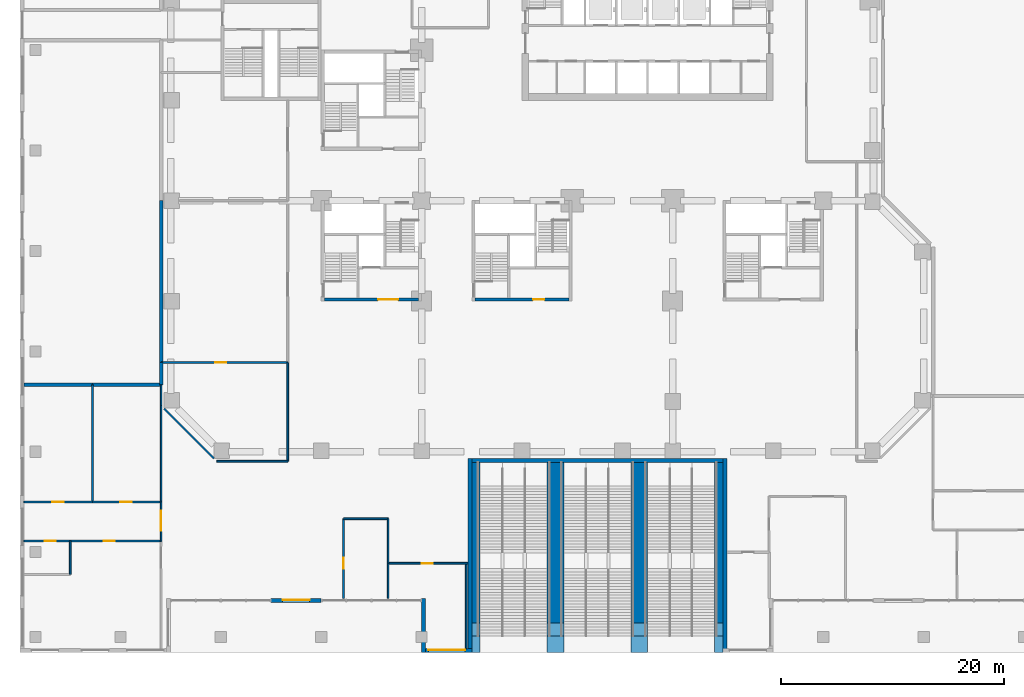
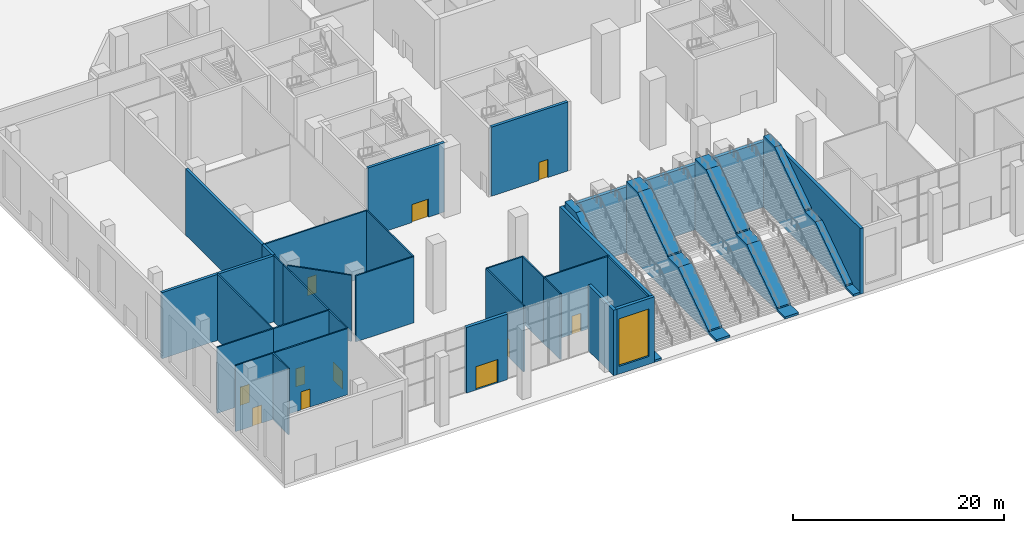
# One storey, part 8 of 32: 35 walls, 11 doors, 1 window, 12 openings.
"""IFC4 building model written with IfcOpenShell, lengths in metres."""

from ifc_helpers import new_model, si_unit, direction, frame, frame_2d, origin, place, context, subcontext, project, spatial, polyline, rectangle, outline, extrude, material, layer, layer_set, constituent, constituent_set, type_object, element, fill, save


model = new_model("IFC4")

# Units and contexts
model_context = context("Model", 3, precision=1e-05, world=origin(), true_north=direction((0.0, 1.0)))
body_context = subcontext(model_context, "Body", "Model", "MODEL_VIEW")
ifc_project = project(units=[si_unit("LENGTHUNIT", "METRE"), si_unit("AREAUNIT", "SQUARE_METRE"), si_unit("VOLUMEUNIT", "CUBIC_METRE"), si_unit("PLANEANGLEUNIT", "RADIAN"), si_unit("MASSUNIT", "GRAM", prefix="KILO")], contexts=[model_context])

# Site, building, storey
site_placement = place(None, origin())
site = spatial("IfcSite", under=ifc_project, at=site_placement, CompositionType="ELEMENT")
building_placement = place(site_placement, origin())
building = spatial("IfcBuilding", under=site, at=building_placement, Name="Quoin Convention Tower", CompositionType="ELEMENT")
storey_placement = place(building_placement, origin())
storey = spatial("IfcBuildingStorey", under=building, at=storey_placement, Name="L00", CompositionType="ELEMENT", Elevation=0.0)

# Walls
ifc_material_1 = material(Name="Plasterboard")
ifc_layer_1 = layer(ifc_material_1, 0.012451171875, Name="Finish")
ifc_material_2 = material(Name="Steel stud framing", Category="steel")
ifc_layer_2 = layer(ifc_material_2, 0.27490234375, Name="Structure")
ifc_layer_3 = layer(ifc_material_1, 0.012451171875, Name="Finish")
ifc_layer_set_1 = layer_set([ifc_layer_1, ifc_layer_2, ifc_layer_3], Name="Steel stud framing")
wall_type_1 = type_object("IfcWallType", Name="Acoustic wall 300", PredefinedType="PARTITIONING", material=ifc_layer_set_1)
for number, where, z_axis, x_axis, name in (
    (1, (0.35009765625, 24.0, 0.0), (0.0, 0.0, 1.0), (1.0, 0.0, 0.0), "pw-L00-045"),
    (2, (6.5, 24.0, 0.0), (0.0, 0.0, 1.0), (1.0, 0.0, 0.0), "pw-L00-046"),
):
    element("IfcWall", number, at=place(storey_placement, frame(where, z_axis=z_axis, x_axis=x_axis)), inside=storey, type_object=wall_type_1, Name=name, PredefinedType="PARTITIONING", context=body_context, shape_type="SweptSolid", body=[
        extrude(rectangle(XDim=6.14990234375, YDim=0.300048828125, at=frame_2d((3.074951171875, 0.0))), origin(), (0.0, 0.0, 1.0), 7.64990234375),
    ])
wall_1_placement = place(storey_placement, frame((12.64990234375, 24.0, 0.0), z_axis=(0.0, 0.0, 1.0), x_axis=(0.0, 1.0, 0.0)))
element("IfcWall", 3, at=wall_1_placement, inside=storey, type_object=wall_type_1, Name="pw-L00-047", PredefinedType="PARTITIONING", context=body_context, shape_type="SweptSolid", body=[
    extrude(rectangle(XDim=2.0, YDim=0.300048828125, at=frame_2d((1.0, 0.0))), origin(), (0.0, 0.0, 1.0), 7.64990234375),
])
wall_2_placement = place(storey_placement, frame((12.64990234375, 26.0, 0.0), z_axis=(0.0, 0.0, 1.0), x_axis=(0.0, 1.0, 0.0)))
element("IfcWall", 4, at=wall_2_placement, inside=storey, type_object=wall_type_1, Name="pw-L00-049", PredefinedType="PARTITIONING", context=body_context, shape_type="SweptSolid", body=[
    extrude(rectangle(XDim=14.5, YDim=0.300048828125, at=frame_2d((7.25, 0.0))), origin(), (0.0, 0.0, 1.0), 7.64990234375),
])

# Wall, opening, door
ifc_material_3 = material(Name="Brick masonry", Category="masonry")
ifc_layer_4 = layer(ifc_material_3, 0.35009765625)
ifc_layer_set_2 = layer_set([ifc_layer_4], Name="Brick masonry")
wall_type_2 = type_object("IfcWallType", Name="Brick facade wall", PredefinedType="STANDARD", material=ifc_layer_set_2)
wall_3_placement = place(storey_placement, frame((22.5, 4.675048828125, 0.0), z_axis=(0.0, 0.0, 1.0), x_axis=(1.0, 0.0, 0.0)))
wall_3 = element("IfcWall", 5, at=wall_3_placement, inside=storey, type_object=wall_type_2, Name="fw-L00-22500_4675", PredefinedType="STANDARD", context=body_context, shape_type="SweptSolid", body=[
    extrude(rectangle(XDim=4.5, YDim=0.35009765625, at=frame_2d((2.25, 0.0))), origin(), (0.0, 0.0, 1.0), 7.590087890625),
])
opening_1_placement = place(wall_3_placement, frame((1.050048828125, 0.0, 0.0)))
opening_1 = element("IfcOpeningElement", 6, at=opening_1_placement, cuts=wall_3, Name="Opening D-T2", PredefinedType="OPENING", context=body_context, shape_type="SweptSolid", body=[
    extrude(rectangle(XDim=2.39990234375, YDim=2.699951171875, at=frame_2d((1.199951171875, 1.35009765625))), frame((0.0, 0.18505859375, 0.0), z_axis=(0.0, -1.0, 0.0), x_axis=(1.0, 0.0, 0.0)), (0.0, 0.0, 1.0), 0.3701171875),
])
ifc_material_4 = material(Name="Aluminium", Category="aluminium")
ifc_constituent_1 = constituent(ifc_material_4, Name="Frame")
ifc_material_5 = material(Name="Insulated glass", Category="glass")
ifc_constituent_2 = constituent(ifc_material_5, Name="Glazing")
ifc_constituent_set_1 = constituent_set(constituents=[ifc_constituent_1, ifc_constituent_2], Name="Aluminium")
door_type_1 = type_object("IfcDoorType", Name="Entrance door", OperationType="DOUBLE_DOOR_SINGLE_SWING", PredefinedType="DOOR", material=ifc_constituent_set_1)
door_1_placement = place(opening_1_placement, frame((2.39990234375, 0.0, 0.0), z_axis=(0.0, 0.0, 1.0), x_axis=(-1.0, 0.0, 0.0)))
door_1 = element("IfcDoor", 7, at=door_1_placement, inside=storey, type_object=door_type_1, Name="dr-L00-22500_4675", OperationType="DOUBLE_DOOR_SINGLE_SWING", OverallHeight=2.699951171875, OverallWidth=2.39990234375, PredefinedType="DOOR", context=body_context, shape_type="SweptSolid", body=[
    extrude(rectangle(XDim=2.39990234375, YDim=2.699951171875, at=frame_2d((1.199951171875, 1.35009765625))), frame((0.0, -0.02978515625, 0.0), z_axis=(0.0, -1.0, 0.0), x_axis=(1.0, 0.0, 0.0)), (0.0, 0.0, 1.0), 0.050048828125),
])
fill(opening_1, door_1)

# Wall
wall_4_placement = place(storey_placement, frame((36.175048828125, 4.85009765625, 0.0), z_axis=(0.0, 0.0, 1.0), x_axis=(0.0, -1.0, 0.0)))
element("IfcWall", 8, at=wall_4_placement, inside=storey, type_object=wall_type_2, Name="fw-L00-36000_4500", PredefinedType="STANDARD", context=body_context, shape_type="SweptSolid", body=[
    extrude(rectangle(XDim=4.85009765625, YDim=0.35009765625, at=frame_2d((2.425048828125, 0.0))), origin(), (0.0, 0.0, 1.0), 7.590087890625),
])

# Wall, opening, window
wall_5_placement = place(storey_placement, frame((36.0, 0.175048828125, 0.0), z_axis=(0.0, 0.0, 1.0), x_axis=(1.0, 0.0, 0.0)))
wall_5 = element("IfcWall", 9, at=wall_5_placement, inside=storey, type_object=wall_type_2, Name="fw-L00-36000_0", PredefinedType="STANDARD", context=body_context, shape_type="SweptSolid", body=[
    extrude(rectangle(XDim=4.5, YDim=0.35009765625, at=frame_2d((2.25, 0.0))), origin(), (0.0, 0.0, 1.0), 7.590087890625),
])
opening_2_placement = place(wall_5_placement, frame((0.60009765625, 0.0, 0.89990234375)))
opening_2 = element("IfcOpeningElement", 10, at=opening_2_placement, cuts=wall_5, Name="Opening W-06", PredefinedType="OPENING", context=body_context, shape_type="SweptSolid", body=[
    extrude(rectangle(XDim=3.300048828125, YDim=5.5, at=frame_2d((1.64990234375, 2.75))), frame((0.0, 0.18505859375, 0.0), z_axis=(0.0, -1.0, 0.0), x_axis=(1.0, 0.0, 0.0)), (0.0, 0.0, 1.0), 0.3701171875),
])
ifc_constituent_3 = constituent(ifc_material_4, Name="Frame")
ifc_constituent_4 = constituent(ifc_material_5, Name="Glazing")
ifc_constituent_set_2 = constituent_set(constituents=[ifc_constituent_3, ifc_constituent_4], Name="Aluminium")
window_type = type_object("IfcWindowType", Name="Podium street window", PartitioningType="TRIPLE_PANEL_VERTICAL", PredefinedType="WINDOW", material=ifc_constituent_set_2)
window_placement = place(opening_2_placement, origin())
window = element("IfcWindow", 11, at=window_placement, inside=storey, type_object=window_type, Name="win-L00-38250_175", OverallHeight=5.5, OverallWidth=3.300048828125, PartitioningType="SINGLE_PANEL", PredefinedType="WINDOW", context=body_context, shape_type="SweptSolid", body=[
    extrude(rectangle(XDim=3.300048828125, YDim=5.5, at=frame_2d((1.64990234375, 2.75))), frame((0.0, 0.0849609375, 0.0), z_axis=(0.0, -1.0, 0.0), x_axis=(1.0, 0.0, 0.0)), (0.0, 0.0, 1.0), 0.06005859375),
])
fill(opening_2, window)

# Walls
wall_6_placement = place(storey_placement, frame((40.324951171875, 0.0, 0.0), z_axis=(0.0, 0.0, 1.0), x_axis=(0.0, 1.0, 0.0)))
element("IfcWall", 12, at=wall_6_placement, inside=storey, type_object=wall_type_2, Name="fw-L00-40500_0", PredefinedType="STANDARD", context=body_context, shape_type="SweptSolid", body=[
    extrude(rectangle(XDim=17.39990234375, YDim=0.35009765625, at=frame_2d((8.699951171875, 0.0))), origin(), (0.0, 0.0, 1.0), 7.590087890625),
])
wall_7_placement = place(storey_placement, frame((40.14990234375, 17.22509765625, 0.0), z_axis=(0.0, 0.0, 1.0), x_axis=(1.0, 0.0, 0.0)))
element("IfcWall", 13, at=wall_7_placement, inside=storey, type_object=wall_type_2, Name="fw-L00-40500_17050", PredefinedType="STANDARD", context=body_context, shape_type="SweptSolid", body=[
    extrude(rectangle(XDim=23.2001953125, YDim=0.35009765625, at=frame_2d((11.60009765625, 0.0))), origin(), (0.0, 0.0, 1.0), 7.590087890625),
])
wall_8_placement = place(storey_placement, frame((63.175048828125, 17.39990234375, 0.0), z_axis=(0.0, 0.0, 1.0), x_axis=(0.0, -1.0, 0.0)))
element("IfcWall", 14, at=wall_8_placement, inside=storey, type_object=wall_type_2, Name="fw-L00-63000_17050", PredefinedType="STANDARD", context=body_context, shape_type="SweptSolid", body=[
    extrude(rectangle(XDim=17.39990234375, YDim=0.35009765625, at=frame_2d((8.699951171875, 0.0))), origin(), (0.0, 0.0, 1.0), 7.590087890625),
])
ifc_layer_5 = layer(ifc_material_1, 0.012451171875, Name="Finish")
ifc_layer_6 = layer(ifc_material_2, 0.125, Name="Structure")
ifc_layer_7 = layer(ifc_material_1, 0.012451171875, Name="Finish")
ifc_layer_set_3 = layer_set([ifc_layer_5, ifc_layer_6, ifc_layer_7], Name="Steel stud framing")
wall_type_3 = type_object("IfcWallType", Name="Partition wall 150", PredefinedType="PARTITIONING", material=ifc_layer_set_3)
wall_9_placement = place(storey_placement, frame((40.0, 0.35009765625, 0.0), z_axis=(0.0, 0.0, 1.0), x_axis=(0.0, 1.0, 0.0)))
element("IfcWall", 15, at=wall_9_placement, inside=storey, type_object=wall_type_3, Name="pw-L00-002", PredefinedType="PARTITIONING", context=body_context, shape_type="SweptSolid", body=[
    extrude(rectangle(XDim=7.64990234375, YDim=0.14990234375, at=frame_2d((3.824951171875, 0.0))), origin(), (0.0, 0.0, 1.0), 7.64990234375),
])

# Wall, opening, door
wall_10_placement = place(storey_placement, frame((29.0, 4.85009765625, 0.0), z_axis=(0.0, 0.0, 1.0), x_axis=(0.0, 1.0, 0.0)))
wall_10 = element("IfcWall", 16, at=wall_10_placement, inside=storey, type_object=wall_type_3, Name="pw-L00-003", PredefinedType="PARTITIONING", context=body_context, shape_type="SweptSolid", body=[
    extrude(rectangle(XDim=7.14990234375, YDim=0.14990234375, at=frame_2d((3.574951171875, 0.0))), origin(), (0.0, 0.0, 1.0), 7.64990234375),
])
opening_3_placement = place(wall_10_placement, frame((2.64990234375, 0.0, 0.0)))
opening_3 = element("IfcOpeningElement", 17, at=opening_3_placement, cuts=wall_10, Name="Opening DPD0-02", PredefinedType="OPENING", context=body_context, shape_type="SweptSolid", body=[
    extrude(rectangle(XDim=1.0, YDim=2.10009765625, at=frame_2d((0.5, 1.050048828125))), frame((0.0, 0.0849609375, 0.0), z_axis=(0.0, -1.0, 0.0), x_axis=(1.0, 0.0, 0.0)), (0.0, 0.0, 1.0), 0.169921875),
])
ifc_material_6 = material(Name="Steel door leaf", Category="steel")
door_type_2 = type_object("IfcDoorType", Name="Single leaf door 1000", OperationType="SINGLE_SWING_LEFT", PredefinedType="DOOR", material=ifc_material_6)
door_2_placement = place(opening_3_placement, frame((1.0, 0.0, 0.0), z_axis=(0.0, 0.0, 1.0), x_axis=(-1.0, 0.0, 0.0)))
door_2 = element("IfcDoor", 18, at=door_2_placement, inside=storey, type_object=door_type_2, Name="dr-L00-035", OperationType="SINGLE_SWING_RIGHT", OverallHeight=2.10009765625, OverallWidth=1.0, PredefinedType="DOOR", context=body_context, shape_type="SweptSolid", body=[
    extrude(rectangle(XDim=1.0, YDim=2.10009765625, at=frame_2d((0.5, 1.050048828125))), frame((0.0, 0.02490234375, 0.0), z_axis=(0.0, -1.0, 0.0), x_axis=(1.0, 0.0, 0.0)), (0.0, 0.0, 1.0), 0.050048828125),
])
fill(opening_3, door_2)

# Wall
wall_11_placement = place(storey_placement, frame((33.0, 4.85009765625, 0.0), z_axis=(0.0, 0.0, 1.0), x_axis=(0.0, 1.0, 0.0)))
element("IfcWall", 19, at=wall_11_placement, inside=storey, type_object=wall_type_3, Name="pw-L00-004", PredefinedType="PARTITIONING", context=body_context, shape_type="SweptSolid", body=[
    extrude(rectangle(XDim=3.14990234375, YDim=0.14990234375, at=frame_2d((1.574951171875, 0.0))), origin(), (0.0, 0.0, 1.0), 7.64990234375),
])

# Wall, opening, door
wall_12_placement = place(storey_placement, frame((33.0, 8.0, 0.0), z_axis=(0.0, 0.0, 1.0), x_axis=(1.0, 0.0, 0.0)))
wall_12 = element("IfcWall", 20, at=wall_12_placement, inside=storey, type_object=wall_type_3, Name="pw-L00-010", PredefinedType="PARTITIONING", context=body_context, shape_type="SweptSolid", body=[
    extrude(rectangle(XDim=7.14990234375, YDim=0.14990234375, at=frame_2d((3.574951171875, 0.0))), origin(), (0.0, 0.0, 1.0), 7.64990234375),
])
opening_4_placement = place(wall_12_placement, frame((3.0, 0.0, 0.0)))
opening_4 = element("IfcOpeningElement", 21, at=opening_4_placement, cuts=wall_12, Name="Opening DPD0-04", PredefinedType="OPENING", context=body_context, shape_type="SweptSolid", body=[
    extrude(rectangle(XDim=1.0, YDim=2.10009765625, at=frame_2d((0.5, 1.050048828125))), frame((0.0, 0.0849609375, 0.0), z_axis=(0.0, -1.0, 0.0), x_axis=(1.0, 0.0, 0.0)), (0.0, 0.0, 1.0), 0.169921875),
])
door_3_placement = place(opening_4_placement, frame((1.0, 0.0, 0.0), z_axis=(0.0, 0.0, 1.0), x_axis=(-1.0, 0.0, 0.0)))
door_3 = element("IfcDoor", 22, at=door_3_placement, inside=storey, type_object=door_type_2, Name="dr-L00-037", OperationType="SINGLE_SWING_LEFT", OverallHeight=2.10009765625, OverallWidth=1.0, PredefinedType="DOOR", context=body_context, shape_type="SweptSolid", body=[
    extrude(rectangle(XDim=1.0, YDim=2.10009765625, at=frame_2d((0.5, 1.050048828125))), frame((0.0, 0.02490234375, 0.0), z_axis=(0.0, -1.0, 0.0), x_axis=(1.0, 0.0, 0.0)), (0.0, 0.0, 1.0), 0.050048828125),
])
fill(opening_4, door_3)

# Wall
wall_13_placement = place(storey_placement, frame((33.0, 8.0, 0.0), z_axis=(0.0, 0.0, 1.0), x_axis=(0.0, 1.0, 0.0)))
element("IfcWall", 23, at=wall_13_placement, inside=storey, type_object=wall_type_3, Name="pw-L00-011", PredefinedType="PARTITIONING", context=body_context, shape_type="SweptSolid", body=[
    extrude(rectangle(XDim=4.0, YDim=0.14990234375, at=frame_2d((2.0, 0.0))), origin(), (0.0, 0.0, 1.0), 7.64990234375),
])

# Wall, opening, door
wall_14_placement = place(storey_placement, frame((4.5, 10.0, 0.0), z_axis=(0.0, 0.0, 1.0), x_axis=(1.0, 0.0, 0.0)))
wall_14 = element("IfcWall", 24, at=wall_14_placement, inside=storey, type_object=wall_type_3, Name="pw-L00-015", PredefinedType="PARTITIONING", context=body_context, shape_type="SweptSolid", body=[
    extrude(rectangle(XDim=8.14990234375, YDim=0.14990234375, at=frame_2d((4.074951171875, 0.0))), origin(), (0.0, 0.0, 1.0), 7.64990234375),
])
opening_5_placement = place(wall_14_placement, frame((3.0, 0.0, 0.0)))
opening_5 = element("IfcOpeningElement", 25, at=opening_5_placement, cuts=wall_14, Name="Opening DPD0-08", PredefinedType="OPENING", context=body_context, shape_type="SweptSolid", body=[
    extrude(rectangle(XDim=1.0, YDim=2.10009765625, at=frame_2d((0.5, 1.050048828125))), frame((0.0, 0.0849609375, 0.0), z_axis=(0.0, -1.0, 0.0), x_axis=(1.0, 0.0, 0.0)), (0.0, 0.0, 1.0), 0.169921875),
])
door_4_placement = place(opening_5_placement, frame((1.0, 0.0, 0.0), z_axis=(0.0, 0.0, 1.0), x_axis=(-1.0, 0.0, 0.0)))
door_4 = element("IfcDoor", 26, at=door_4_placement, inside=storey, type_object=door_type_2, Name="dr-L00-026", OperationType="SINGLE_SWING_RIGHT", OverallHeight=2.10009765625, OverallWidth=1.0, PredefinedType="DOOR", context=body_context, shape_type="SweptSolid", body=[
    extrude(rectangle(XDim=1.0, YDim=2.10009765625, at=frame_2d((0.5, 1.050048828125))), frame((0.0, 0.02490234375, 0.0), z_axis=(0.0, -1.0, 0.0), x_axis=(1.0, 0.0, 0.0)), (0.0, 0.0, 1.0), 0.050048828125),
])
fill(opening_5, door_4)

wall_15_placement = place(storey_placement, frame((12.64990234375, 10.0, 0.0), z_axis=(0.0, 0.0, 1.0), x_axis=(0.0, 1.0, 0.0)))
wall_15 = element("IfcWall", 27, at=wall_15_placement, inside=storey, type_object=wall_type_3, Name="pw-L00-016", PredefinedType="PARTITIONING", context=body_context, shape_type="SweptSolid", body=[
    extrude(rectangle(XDim=3.5, YDim=0.14990234375, at=frame_2d((1.75, 0.0))), origin(), (0.0, 0.0, 1.0), 7.64990234375),
])
opening_6_placement = place(wall_15_placement, frame((0.89990234375, 0.0, 0.0)))
opening_6 = element("IfcOpeningElement", 28, at=opening_6_placement, cuts=wall_15, Name="Opening DPD0-09", PredefinedType="OPENING", context=body_context, shape_type="SweptSolid", body=[
    extrude(rectangle(XDim=1.800048828125, YDim=2.10009765625, at=frame_2d((0.89990234375, 1.050048828125))), frame((0.0, 0.0849609375, 0.0), z_axis=(0.0, -1.0, 0.0), x_axis=(1.0, 0.0, 0.0)), (0.0, 0.0, 1.0), 0.169921875),
])
door_type_3 = type_object("IfcDoorType", Name="Double leaf door 1800", OperationType="DOUBLE_DOOR_SINGLE_SWING", PredefinedType="DOOR", material=ifc_material_6)
door_5_placement = place(opening_6_placement, origin())
door_5 = element("IfcDoor", 29, at=door_5_placement, inside=storey, type_object=door_type_3, Name="dr-L00-025", OperationType="DOUBLE_DOOR_SINGLE_SWING", OverallHeight=2.10009765625, OverallWidth=1.800048828125, PredefinedType="DOOR", context=body_context, shape_type="SweptSolid", body=[
    extrude(rectangle(XDim=1.800048828125, YDim=2.10009765625, at=frame_2d((0.89990234375, 1.050048828125))), frame((0.0, 0.02490234375, 0.0), z_axis=(0.0, -1.0, 0.0), x_axis=(1.0, 0.0, 0.0)), (0.0, 0.0, 1.0), 0.050048828125),
])
fill(opening_6, door_5)

# Wall
wall_16_placement = place(storey_placement, frame((29.0, 12.0, 0.0), z_axis=(0.0, 0.0, 1.0), x_axis=(1.0, 0.0, 0.0)))
element("IfcWall", 30, at=wall_16_placement, inside=storey, type_object=wall_type_3, Name="pw-L00-020", PredefinedType="PARTITIONING", context=body_context, shape_type="SweptSolid", body=[
    extrude(rectangle(XDim=4.0, YDim=0.14990234375, at=frame_2d((2.0, 0.0))), origin(), (0.0, 0.0, 1.0), 7.64990234375),
])

# Wall, opening, door
wall_17_placement = place(storey_placement, frame((0.35009765625, 13.5, 0.0), z_axis=(0.0, 0.0, 1.0), x_axis=(1.0, 0.0, 0.0)))
wall_17 = element("IfcWall", 31, at=wall_17_placement, inside=storey, type_object=wall_type_3, Name="pw-L00-021", PredefinedType="PARTITIONING", context=body_context, shape_type="SweptSolid", body=[
    extrude(rectangle(XDim=6.14990234375, YDim=0.14990234375, at=frame_2d((3.074951171875, 0.0))), origin(), (0.0, 0.0, 1.0), 7.64990234375),
])
opening_7_placement = place(wall_17_placement, frame((2.550048828125, 0.0, 0.0)))
opening_7 = element("IfcOpeningElement", 32, at=opening_7_placement, cuts=wall_17, Name="Opening DPD0-12", PredefinedType="OPENING", context=body_context, shape_type="SweptSolid", body=[
    extrude(rectangle(XDim=1.0, YDim=2.10009765625, at=frame_2d((0.5, 1.050048828125))), frame((0.0, 0.0849609375, 0.0), z_axis=(0.0, -1.0, 0.0), x_axis=(1.0, 0.0, 0.0)), (0.0, 0.0, 1.0), 0.169921875),
])
door_type_4 = type_object("IfcDoorType", Name="Washroom door 1000", OperationType="SINGLE_SWING_RIGHT", PredefinedType="DOOR", material=ifc_material_6)
door_6_placement = place(opening_7_placement, origin())
door_6 = element("IfcDoor", 33, at=door_6_placement, inside=storey, type_object=door_type_4, Name="dr-L00-027", OperationType="SINGLE_SWING_RIGHT", OverallHeight=2.10009765625, OverallWidth=1.0, PredefinedType="DOOR", context=body_context, shape_type="SweptSolid", body=[
    extrude(rectangle(XDim=1.0, YDim=2.10009765625, at=frame_2d((0.5, 1.050048828125))), frame((0.0, 0.02490234375, 0.0), z_axis=(0.0, -1.0, 0.0), x_axis=(1.0, 0.0, 0.0)), (0.0, 0.0, 1.0), 0.050048828125),
])
fill(opening_7, door_6)

wall_18_placement = place(storey_placement, frame((6.5, 13.5, 0.0), z_axis=(0.0, 0.0, 1.0), x_axis=(1.0, 0.0, 0.0)))
wall_18 = element("IfcWall", 34, at=wall_18_placement, inside=storey, type_object=wall_type_3, Name="pw-L00-022", PredefinedType="PARTITIONING", context=body_context, shape_type="SweptSolid", body=[
    extrude(rectangle(XDim=6.14990234375, YDim=0.14990234375, at=frame_2d((3.074951171875, 0.0))), origin(), (0.0, 0.0, 1.0), 7.64990234375),
])
opening_8_placement = place(wall_18_placement, frame((2.5, 0.0, 0.0)))
opening_8 = element("IfcOpeningElement", 35, at=opening_8_placement, cuts=wall_18, Name="Opening DPD0-13", PredefinedType="OPENING", context=body_context, shape_type="SweptSolid", body=[
    extrude(rectangle(XDim=1.0, YDim=2.10009765625, at=frame_2d((0.5, 1.050048828125))), frame((0.0, 0.0849609375, 0.0), z_axis=(0.0, -1.0, 0.0), x_axis=(1.0, 0.0, 0.0)), (0.0, 0.0, 1.0), 0.169921875),
])
door_7_placement = place(opening_8_placement, origin())
door_7 = element("IfcDoor", 36, at=door_7_placement, inside=storey, type_object=door_type_4, Name="dr-L00-028", OperationType="SINGLE_SWING_LEFT", OverallHeight=2.10009765625, OverallWidth=1.0, PredefinedType="DOOR", context=body_context, shape_type="SweptSolid", body=[
    extrude(rectangle(XDim=1.0, YDim=2.10009765625, at=frame_2d((0.5, 1.050048828125))), frame((0.0, 0.02490234375, 0.0), z_axis=(0.0, -1.0, 0.0), x_axis=(1.0, 0.0, 0.0)), (0.0, 0.0, 1.0), 0.050048828125),
])
fill(opening_8, door_7)

# Walls
wall_19_placement = place(storey_placement, frame((12.64990234375, 13.5, 0.0), z_axis=(0.0, 0.0, 1.0), x_axis=(0.0, 1.0, 0.0)))
element("IfcWall", 37, at=wall_19_placement, inside=storey, type_object=wall_type_3, Name="pw-L00-024", PredefinedType="PARTITIONING", context=body_context, shape_type="SweptSolid", body=[
    extrude(rectangle(XDim=8.64794921875, YDim=0.14990234375, at=frame_2d((4.323974609375, 0.0))), origin(), (0.0, 0.0, 1.0), 7.64990234375),
])
wall_20_placement = place(storey_placement, frame((17.64794921875, 17.14990234375, 0.0), z_axis=(0.0, 0.0, 1.0), x_axis=(1.0, 0.0, 0.0)))
element("IfcWall", 38, at=wall_20_placement, inside=storey, type_object=wall_type_3, Name="pw-L00-032", PredefinedType="PARTITIONING", context=body_context, shape_type="SweptSolid", body=[
    extrude(rectangle(XDim=6.35205078125, YDim=0.14990234375, at=frame_2d((3.176025390625, 0.0))), origin(), (0.0, 0.0, 1.0), 7.64990234375),
])
wall_21_placement = place(storey_placement, frame((24.0, 17.14990234375, 0.0), z_axis=(0.0, 0.0, 1.0), x_axis=(0.0, 1.0, 0.0)))
element("IfcWall", 39, at=wall_21_placement, inside=storey, type_object=wall_type_3, Name="pw-L00-033", PredefinedType="PARTITIONING", context=body_context, shape_type="SweptSolid", body=[
    extrude(rectangle(XDim=8.85009765625, YDim=0.14990234375, at=frame_2d((4.425048828125, 0.0))), origin(), (0.0, 0.0, 1.0), 7.64990234375),
])
wall_22_placement = place(storey_placement, frame((12.91796875, 21.8798828125, 0.0), z_axis=(0.0, 0.0, 1.0), x_axis=(0.707106781187, -0.707106781187, 0.0)))
element("IfcWall", 40, at=wall_22_placement, inside=storey, type_object=wall_type_3, Name="pw-L00-039", PredefinedType="PARTITIONING", context=body_context, shape_type="SweptSolid", body=[
    extrude(rectangle(XDim=6.31005859375, YDim=0.14990234375, at=frame_2d((3.155029296875, 0.0))), origin(), (0.0, 0.0, 1.0), 7.64990234375),
])
wall_23_placement = place(storey_placement, frame((12.64990234375, 22.14794921875, 0.0), z_axis=(0.0, 0.0, 1.0), x_axis=(0.0, 1.0, 0.0)))
element("IfcWall", 41, at=wall_23_placement, inside=storey, type_object=wall_type_3, Name="pw-L00-040", PredefinedType="PARTITIONING", context=body_context, shape_type="SweptSolid", body=[
    extrude(rectangle(XDim=1.85205078125, YDim=0.14990234375, at=frame_2d((0.926025390625, 0.0))), origin(), (0.0, 0.0, 1.0), 7.64990234375),
])

# Wall, opening, door
wall_24_placement = place(storey_placement, frame((12.64990234375, 26.0, 0.0), z_axis=(0.0, 0.0, 1.0), x_axis=(1.0, 0.0, 0.0)))
wall_24 = element("IfcWall", 42, at=wall_24_placement, inside=storey, type_object=wall_type_3, Name="pw-L00-048", PredefinedType="PARTITIONING", context=body_context, shape_type="SweptSolid", body=[
    extrude(rectangle(XDim=11.35009765625, YDim=0.14990234375, at=frame_2d((5.675048828125, 0.0))), origin(), (0.0, 0.0, 1.0), 7.64990234375),
])
opening_9_placement = place(wall_24_placement, frame((4.85009765625, 0.0, 0.0)))
opening_9 = element("IfcOpeningElement", 43, at=opening_9_placement, cuts=wall_24, Name="Opening DPD0-19", PredefinedType="OPENING", context=body_context, shape_type="SweptSolid", body=[
    extrude(rectangle(XDim=1.0, YDim=2.10009765625, at=frame_2d((0.5, 1.050048828125))), frame((0.0, 0.0849609375, 0.0), z_axis=(0.0, -1.0, 0.0), x_axis=(1.0, 0.0, 0.0)), (0.0, 0.0, 1.0), 0.169921875),
])
door_8_placement = place(opening_9_placement, origin())
door_8 = element("IfcDoor", 44, at=door_8_placement, inside=storey, type_object=door_type_2, Name="dr-L00-042", OperationType="SINGLE_SWING_LEFT", OverallHeight=2.10009765625, OverallWidth=1.0, PredefinedType="DOOR", context=body_context, shape_type="SweptSolid", body=[
    extrude(rectangle(XDim=1.0, YDim=2.10009765625, at=frame_2d((0.5, 1.050048828125))), frame((0.0, 0.02490234375, 0.0), z_axis=(0.0, -1.0, 0.0), x_axis=(1.0, 0.0, 0.0)), (0.0, 0.0, 1.0), 0.050048828125),
])
fill(opening_9, door_8)

ifc_material_7 = material(Name="Concrete C100 (100 MPa)", Category="concrete")
ifc_layer_8 = layer(ifc_material_7, 0.300048828125)
ifc_layer_set_4 = layer_set([ifc_layer_8], Name="Concrete C100 (100 MPa)")
wall_type_4 = type_object("IfcWallType", Name="RC CORE WALL 300 C100", PredefinedType="SHEAR", material=ifc_layer_set_4)
wall_25_placement = place(storey_placement, frame((40.800048828125, 31.64990234375, 0.0), z_axis=(0.0, 0.0, 1.0), x_axis=(1.0, 0.0, 0.0)))
wall_25 = element("IfcWall", 45, at=wall_25_placement, inside=storey, type_object=wall_type_4, Name="cwl-P3-L00-S", PredefinedType="SHEAR", context=body_context, shape_type="SweptSolid", body=[
    extrude(rectangle(XDim=8.39990234375, YDim=0.300048828125, at=frame_2d((4.199951171875, 0.0))), origin(), (0.0, 0.0, 1.0), 8.0),
])
opening_10_placement = place(wall_25_placement, frame((5.199951171875, 0.0, 0.0)))
opening_10 = element("IfcOpeningElement", 46, at=opening_10_placement, cuts=wall_25, Name="Opening DCV0-61", PredefinedType="OPENING", context=body_context, shape_type="SweptSolid", body=[
    extrude(rectangle(XDim=1.0, YDim=2.10009765625, at=frame_2d((0.5, 1.050048828125))), frame((0.0, 0.159912109375, 0.0), z_axis=(0.0, -1.0, 0.0), x_axis=(1.0, 0.0, 0.0)), (0.0, 0.0, 1.0), 0.320068359375),
])
door_type_5 = type_object("IfcDoorType", Name="Service door 1000 x 2100", OperationType="SINGLE_SWING_LEFT", PredefinedType="DOOR", material=ifc_material_6)
door_9_placement = place(opening_10_placement, origin())
door_9 = element("IfcDoor", 47, at=door_9_placement, inside=storey, type_object=door_type_5, Name="cd-P3-L00-R2-S", OperationType="SINGLE_SWING_LEFT", OverallHeight=2.10009765625, OverallWidth=1.0, PredefinedType="DOOR", context=body_context, shape_type="SweptSolid", body=[
    extrude(rectangle(XDim=1.0, YDim=2.10009765625, at=frame_2d((0.5, 1.050048828125))), frame((0.0, 0.02490234375, 0.0), z_axis=(0.0, -1.0, 0.0), x_axis=(1.0, 0.0, 0.0)), (0.0, 0.0, 1.0), 0.050048828125),
])
fill(opening_10, door_9)

wall_26_placement = place(storey_placement, frame((27.300048828125, 31.64990234375, 0.0), z_axis=(0.0, 0.0, 1.0), x_axis=(1.0, 0.0, 0.0)))
wall_26 = element("IfcWall", 48, at=wall_26_placement, inside=storey, type_object=wall_type_4, Name="cwl-P4-L00-S", PredefinedType="SHEAR", context=body_context, shape_type="SweptSolid", body=[
    extrude(rectangle(XDim=8.39990234375, YDim=0.300048828125, at=frame_2d((4.199951171875, 0.0))), origin(), (0.0, 0.0, 1.0), 8.0),
])
opening_11_placement = place(wall_26_placement, frame((4.800048828125, 0.0, 0.0)))
opening_11 = element("IfcOpeningElement", 49, at=opening_11_placement, cuts=wall_26, Name="Opening DCV0-62", PredefinedType="OPENING", context=body_context, shape_type="SweptSolid", body=[
    extrude(rectangle(XDim=1.800048828125, YDim=2.10009765625, at=frame_2d((0.89990234375, 1.050048828125))), frame((0.0, 0.159912109375, 0.0), z_axis=(0.0, -1.0, 0.0), x_axis=(1.0, 0.0, 0.0)), (0.0, 0.0, 1.0), 0.320068359375),
])
door_type_6 = type_object("IfcDoorType", Name="Goods lobby door 1800 x 2100", OperationType="SINGLE_SWING_LEFT", PredefinedType="DOOR", material=ifc_material_6)
door_10_placement = place(opening_11_placement, origin())
door_10 = element("IfcDoor", 50, at=door_10_placement, inside=storey, type_object=door_type_6, Name="cd-P4-L00-R2-S", OperationType="SINGLE_SWING_LEFT", OverallHeight=2.10009765625, OverallWidth=1.800048828125, PredefinedType="DOOR", context=body_context, shape_type="SweptSolid", body=[
    extrude(rectangle(XDim=1.800048828125, YDim=2.10009765625, at=frame_2d((0.89990234375, 1.050048828125))), frame((0.0, 0.02490234375, 0.0), z_axis=(0.0, -1.0, 0.0), x_axis=(1.0, 0.0, 0.0)), (0.0, 0.0, 1.0), 0.050048828125),
])
fill(opening_11, door_10)

# Walls
ifc_material_8 = material(Name="Concrete C40", Category="concrete")
ifc_layer_9 = layer(ifc_material_8, 0.75)
ifc_layer_set_5 = layer_set([ifc_layer_9], Name="Concrete C40")
wall_type_5 = type_object("IfcWallType", Name="Stair cheek wall", PredefinedType="STANDARD", material=ifc_layer_set_5)
for number, where, z_axis, x_axis, name in (
    (51, (40.875, 0.0, 0.0), (0.0, 0.0, 1.0), (0.0, 1.0, 0.0), "bst-wall-1"),
    (52, (62.625, 0.0, 0.0), (0.0, 0.0, 1.0), (0.0, 1.0, 0.0), "bst-wall-4"),
):
    element("IfcWall", number, at=place(storey_placement, frame(where, z_axis=z_axis, x_axis=x_axis)), inside=storey, type_object=wall_type_5, Name=name, PredefinedType="STANDARD", context=body_context, shape_type="SweptSolid", body=[
        extrude(outline(polyline([(0.0, 0.0), (17.050048828125, 0.0), (17.050048828125, 8.25), (14.93994140625, 8.25), (9.219970703125, 4.423828125), (9.219970703125, 4.25), (7.219970703125, 4.25), (1.5, 0.423828125), (1.5, 0.25), (0.0, 0.25), (0.0, 0.0)])), frame((0.0, 0.375, 0.0), z_axis=(0.0, -1.0, 0.0), x_axis=(1.0, 0.0, 0.0)), (0.0, 0.0, 1.0), 0.75),
    ])
ifc_layer_10 = layer(ifc_material_8, 1.5)
ifc_layer_set_6 = layer_set([ifc_layer_10], Name="Concrete C40")
wall_type_6 = type_object("IfcWallType", Name="Stair spine wall", PredefinedType="STANDARD", material=ifc_layer_set_6)
for number, where, z_axis, x_axis, name in (
    (53, (48.0, 0.0, 0.0), (0.0, 0.0, 1.0), (0.0, 1.0, 0.0), "bst-wall-2"),
    (54, (55.5, 0.0, 0.0), (0.0, 0.0, 1.0), (0.0, 1.0, 0.0), "bst-wall-3"),
):
    element("IfcWall", number, at=place(storey_placement, frame(where, z_axis=z_axis, x_axis=x_axis)), inside=storey, type_object=wall_type_6, Name=name, PredefinedType="STANDARD", context=body_context, shape_type="SweptSolid", body=[
        extrude(outline(polyline([(0.0, 0.0), (17.050048828125, 0.0), (17.050048828125, 8.25), (14.93994140625, 8.25), (9.219970703125, 4.423828125), (9.219970703125, 4.25), (7.219970703125, 4.25), (1.5, 0.423828125), (1.5, 0.25), (0.0, 0.25), (0.0, 0.0)])), frame((0.0, 0.75, 0.0), z_axis=(0.0, -1.0, 0.0), x_axis=(1.0, 0.0, 0.0)), (0.0, 0.0, 1.0), 1.5),
    ])
ifc_layer_11 = layer(ifc_material_1, 0.012451171875, Name="Finish")
ifc_layer_12 = layer(ifc_material_2, 0.125, Name="Structure")
ifc_layer_13 = layer(ifc_material_1, 0.012451171875, Name="Finish")
ifc_layer_set_7 = layer_set([ifc_layer_11, ifc_layer_12, ifc_layer_13], Name="Steel stud framing")
wall_type_7 = type_object("IfcWallType", Name="Wet area wall 150", PredefinedType="PARTITIONING", material=ifc_layer_set_7)
wall_27_placement = place(storey_placement, frame((4.5, 7.0, 0.0), z_axis=(0.0, 0.0, 1.0), x_axis=(0.0, 1.0, 0.0)))
element("IfcWall", 55, at=wall_27_placement, inside=storey, type_object=wall_type_7, Name="pw-L00-009", PredefinedType="PARTITIONING", context=body_context, shape_type="SweptSolid", body=[
    extrude(rectangle(XDim=3.0, YDim=0.14990234375, at=frame_2d((1.5, 0.0))), origin(), (0.0, 0.0, 1.0), 7.64990234375),
])

# Wall, opening, door
wall_28_placement = place(storey_placement, frame((0.35009765625, 10.0, 0.0), z_axis=(0.0, 0.0, 1.0), x_axis=(1.0, 0.0, 0.0)))
wall_28 = element("IfcWall", 56, at=wall_28_placement, inside=storey, type_object=wall_type_7, Name="pw-L00-014", PredefinedType="PARTITIONING", context=body_context, shape_type="SweptSolid", body=[
    extrude(rectangle(XDim=4.14990234375, YDim=0.14990234375, at=frame_2d((2.074951171875, 0.0))), origin(), (0.0, 0.0, 1.0), 7.64990234375),
])
opening_12_placement = place(wall_28_placement, frame((1.85009765625, 0.0, 0.0)))
opening_12 = element("IfcOpeningElement", 57, at=opening_12_placement, cuts=wall_28, Name="Opening DPD0-07", PredefinedType="OPENING", context=body_context, shape_type="SweptSolid", body=[
    extrude(rectangle(XDim=1.0, YDim=2.10009765625, at=frame_2d((0.5, 1.050048828125))), frame((0.0, 0.0849609375, 0.0), z_axis=(0.0, -1.0, 0.0), x_axis=(1.0, 0.0, 0.0)), (0.0, 0.0, 1.0), 0.169921875),
])
door_11_placement = place(opening_12_placement, frame((1.0, 0.0, 0.0), z_axis=(0.0, 0.0, 1.0), x_axis=(-1.0, 0.0, 0.0)))
door_11 = element("IfcDoor", 58, at=door_11_placement, inside=storey, type_object=door_type_4, Name="dr-L00-024", OperationType="SINGLE_SWING_LEFT", OverallHeight=2.10009765625, OverallWidth=1.0, PredefinedType="DOOR", context=body_context, shape_type="SweptSolid", body=[
    extrude(rectangle(XDim=1.0, YDim=2.10009765625, at=frame_2d((0.5, 1.050048828125))), frame((0.0, 0.02490234375, 0.0), z_axis=(0.0, -1.0, 0.0), x_axis=(1.0, 0.0, 0.0)), (0.0, 0.0, 1.0), 0.050048828125),
])
fill(opening_12, door_11)

# Wall
wall_29_placement = place(storey_placement, frame((6.5, 13.5, 0.0), z_axis=(0.0, 0.0, 1.0), x_axis=(0.0, 1.0, 0.0)))
element("IfcWall", 59, at=wall_29_placement, inside=storey, type_object=wall_type_7, Name="pw-L00-023", PredefinedType="PARTITIONING", context=body_context, shape_type="SweptSolid", body=[
    extrude(rectangle(XDim=10.5, YDim=0.14990234375, at=frame_2d((5.25, 0.0))), origin(), (0.0, 0.0, 1.0), 7.64990234375),
])

save(model, "model.ifc")
